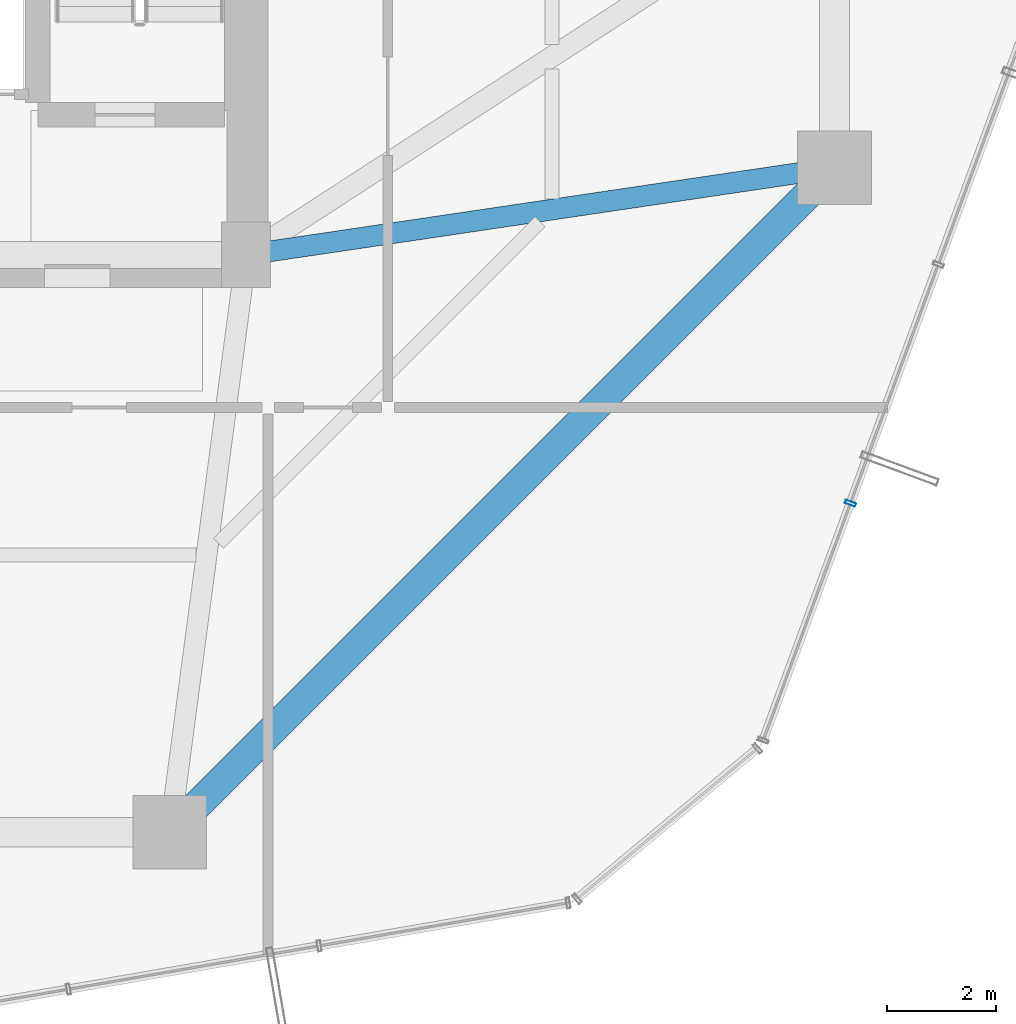
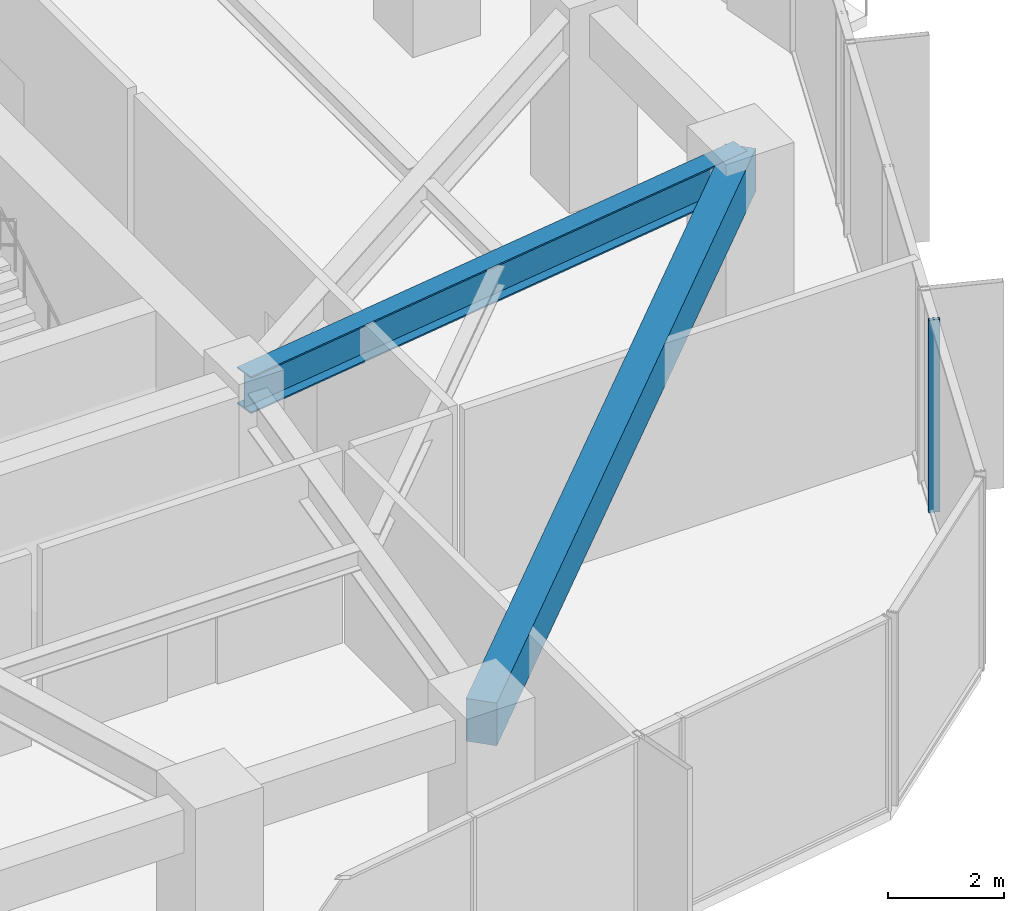
# One storey, part 14 of 35: 2 beams, 1 member, 1 element without a shape of its own.
"""IFC4 building model written with IfcOpenShell, lengths in metres."""

from ifc_helpers import new_model, si_unit, direction, frame, origin, origin_2d, place, context, subcontext, project, spatial, rectangle, hollow_rectangle, i_section, extrude, source, transform, mapped, material, layer, layer_set, material_profile, profile_set, type_object, element, aggregate, save


model = new_model("IFC4")

# Units and contexts
model_context = context("Model", 3, precision=1e-05, world=origin(), true_north=direction((0.0, 1.0)))
body_context = subcontext(model_context, "Body", "Model", "MODEL_VIEW")
ifc_project = project(units=[si_unit("LENGTHUNIT", "METRE"), si_unit("AREAUNIT", "SQUARE_METRE"), si_unit("VOLUMEUNIT", "CUBIC_METRE"), si_unit("PLANEANGLEUNIT", "RADIAN"), si_unit("MASSUNIT", "GRAM", prefix="KILO")], contexts=[model_context])

# Site, building, storey
site_placement = place(None, origin())
site = spatial("IfcSite", under=ifc_project, at=site_placement, CompositionType="ELEMENT")
building_placement = place(site_placement, origin())
building = spatial("IfcBuilding", under=site, at=building_placement, Name="Veraguas Prism Commons", CompositionType="ELEMENT")
storey_placement = place(building_placement, frame((0.0, 0.0, 56.550048828125)))
storey = spatial("IfcBuildingStorey", under=building, at=storey_placement, Name="L15", CompositionType="ELEMENT", Elevation=56.550048828125)

# Beams
ifc_material_1 = material(Name="Steel ASTM A992 Grade 50", Category="steel")
ifc_material_profile_1 = material_profile(ifc_material_1, i_section(OverallWidth=0.382080078125, OverallDepth=0.779052734375, WebThickness=0.01806640625, FlangeThickness=0.030029296875, at=origin_2d()), Name="W760X284")
ifc_profile_set_1 = profile_set([ifc_material_profile_1], Name="Steel ASTM A992 Grade 50")
beam_type_1 = type_object("IfcBeamType", Name="Assembly Primary Girder W760x284", PredefinedType="BEAM", material=ifc_profile_set_1)
beam_1_placement = place(storey_placement, frame((41.60009765625, 18.60009765625, 3.660400390625), z_axis=(-0.989202261707, -0.146556765224, 0.0), x_axis=(0.146556765224, -0.989202261707, 0.0)))
element("IfcBeam", 1, at=beam_1_placement, inside=storey, type_object=beam_type_1, Name="Radial Floor Girder L15-RD01", PredefinedType="BEAM", context=body_context, shape_type="SweptSolid", body=[
    extrude(i_section(OverallWidth=0.382080078125, OverallDepth=0.779052734375, WebThickness=0.01806640625, FlangeThickness=0.030029296875, at=origin_2d()), origin(), (0.0, 0.0, 1.0), 10.91796875),
])
ifc_material_2 = material(Name="Concrete C50/60", Category="concrete")
ifc_material_profile_2 = material_profile(ifc_material_2, rectangle(XDim=0.550048828125, YDim=0.89990234375, at=origin_2d()), Name="RC550X900")
ifc_profile_set_2 = profile_set([ifc_material_profile_2], Name="Concrete C50/60")
beam_type_2 = type_object("IfcBeamType", Name="Perimeter Spandrel Lower RC 550x900", PredefinedType="SPANDREL", material=ifc_profile_set_2)
beam_2_placement = place(storey_placement, frame((29.39990234375, 6.39990234375, 3.599853515625), z_axis=(0.707106781187, 0.707106781187, 0.0), x_axis=(-0.707106781187, 0.707106781187, 0.0)))
element("IfcBeam", 2, at=beam_2_placement, inside=storey, type_object=beam_type_2, Name="Perimeter Spandrel Beam L15-SP12", PredefinedType="SPANDREL", context=body_context, shape_type="SweptSolid", body=[
    extrude(rectangle(XDim=0.550048828125, YDim=0.89990234375, at=origin_2d()), origin(), (0.0, 0.0, 1.0), 17.253662109375),
])

# Curtain wall, member
ifc_material_3 = material(Name="Anodised aluminium EN AW-6063 T6", Category="aluminium")
ifc_layer = layer(ifc_material_3, 0.199951171875, Name="Sky Lobby and Pool Acoustic Curtain Wall", Category="aluminium")
ifc_layer_set = layer_set([ifc_layer], Name="Anodised aluminium EN AW-6063 T6")
curtain_wall_type = type_object("IfcCurtainWallType", Name="Sky Lobby and Pool Acoustic Curtain Wall", PredefinedType="NOTDEFINED", material=ifc_layer_set)
curtain_wall_placement = place(storey_placement, origin())
curtain_wall = element("IfcCurtainWall", 3, at=curtain_wall_placement, inside=storey, type_object=curtain_wall_type, Name="Tower Facade Curtain Wall L15-F6", PredefinedType="NOTDEFINED")
ifc_material_profile_3 = material_profile(ifc_material_3, hollow_rectangle(XDim=0.06494140625, YDim=0.199951171875, WallThickness=0.00390625, at=origin_2d()), Name="AL65X200X4")
ifc_profile_set_3 = profile_set([ifc_material_profile_3], Name="Anodised aluminium EN AW-6063 T6")
member_type = type_object("IfcMemberType", Name="Curtain Wall Mullion Heavy AL 65x200x4", PredefinedType="MULLION", material=ifc_profile_set_3)
shared_shape = source(origin(), body_context, "Body", "SweptSolid", [
    extrude(hollow_rectangle(XDim=0.06494140625, YDim=0.199951171875, WallThickness=0.00390625, at=origin_2d()), origin(), (0.0, 0.0, 1.0), 4.050048828125),
])
member_placement = place(storey_placement, frame((41.893310546875, 12.439453125, 0.0), z_axis=(0.0, 0.0, 1.0), x_axis=(0.345301474955, 0.938491817436, 0.0)))
member = element("IfcMember", 4, at=member_placement, type_object=member_type, Name="CW-SKY Mullion 2", PredefinedType="MULLION", context=body_context, shape_type="MappedRepresentation", body=[
    mapped(shared_shape, transform((0.0, 0.0, 0.0), scale=1.0)),
])
aggregate(curtain_wall, [member])

save(model, "model.ifc")
